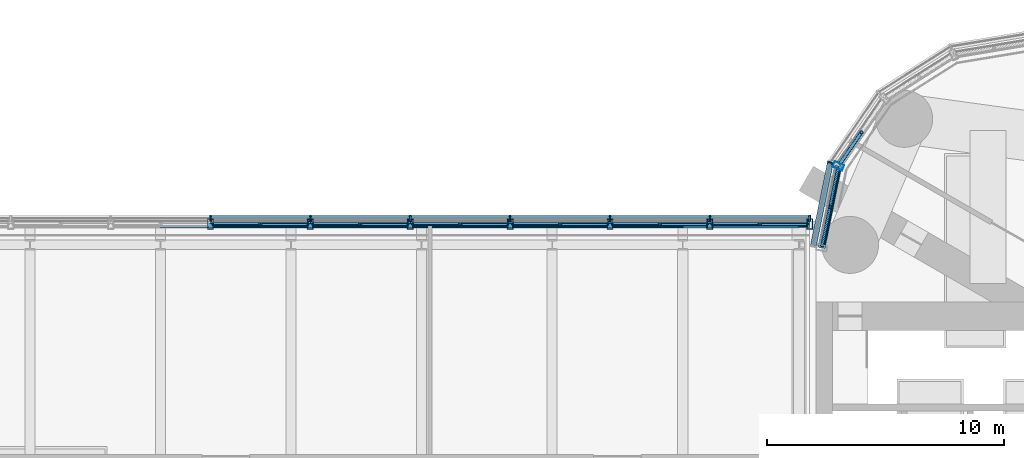
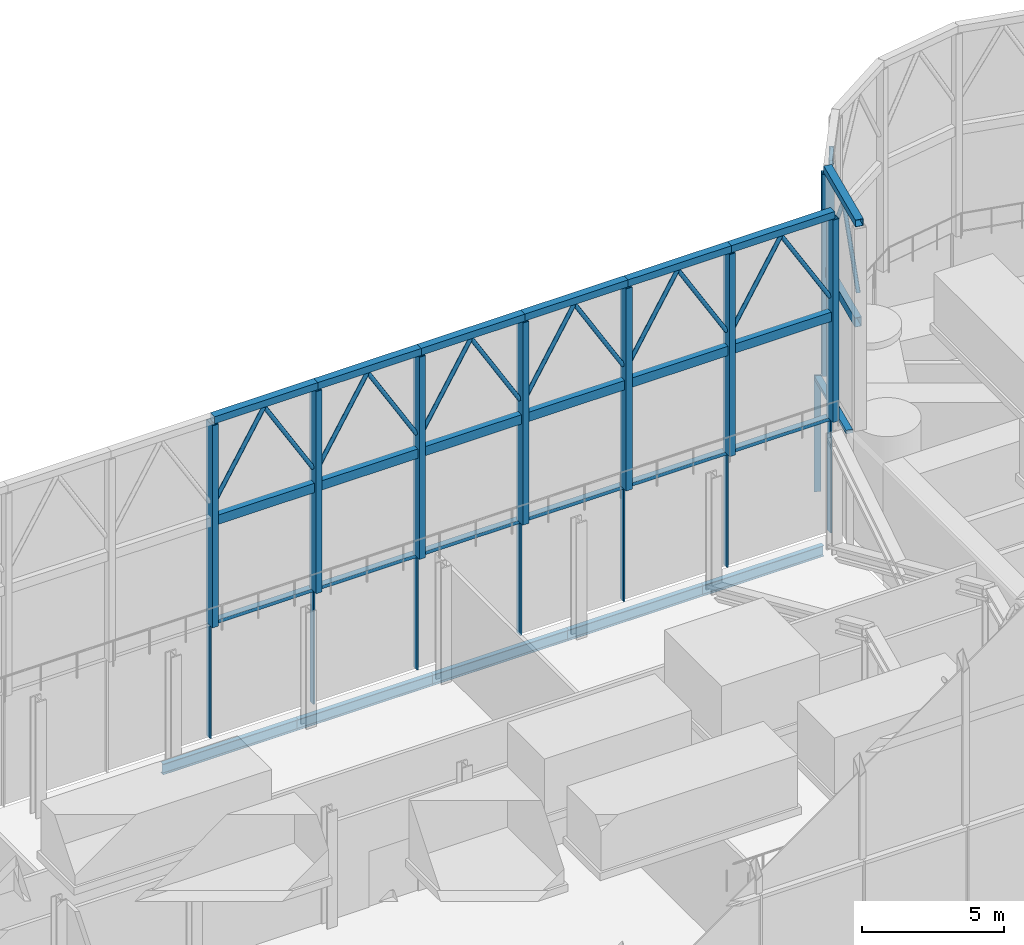
# One storey, part 19 of 33: 52 members, 5 beams, 4 elements without a shape of their own.
"""IFC4 building model written with IfcOpenShell, lengths in metres."""

from ifc_helpers import new_model, si_unit, direction, frame, origin, origin_2d, place, context, subcontext, project, spatial, rectangle, hollow_rectangle, hollow_circle, i_section, extrude, material, material_profile, profile_set, type_object, element, aggregate, save


model = new_model("IFC4")

# Units and contexts
model_context = context("Model", 3, precision=1e-05, world=origin(), true_north=direction((0.0, 1.0)))
body_context = subcontext(model_context, "Body", "Model", "MODEL_VIEW")
ifc_project = project(units=[si_unit("LENGTHUNIT", "METRE"), si_unit("AREAUNIT", "SQUARE_METRE"), si_unit("VOLUMEUNIT", "CUBIC_METRE"), si_unit("PLANEANGLEUNIT", "RADIAN"), si_unit("MASSUNIT", "GRAM", prefix="KILO")], contexts=[model_context])

# Site, building, storey
site_placement = place(None, origin())
site = spatial("IfcSite", under=ifc_project, at=site_placement, CompositionType="ELEMENT")
building_placement = place(site_placement, origin())
building = spatial("IfcBuilding", under=site, at=building_placement, Name="Lancet Gate Hotel", CompositionType="ELEMENT")
storey_placement = place(building_placement, frame((0.0, 0.0, 268.300048828125)))
storey = spatial("IfcBuildingStorey", under=building, at=storey_placement, Name="L70", CompositionType="ELEMENT", Elevation=268.300048828125)

# Curtain wall, member
ifc_material_1 = material(Name="Aluminium curtain wall", Category="aluminium")
curtain_wall_type_1 = type_object("IfcCurtainWallType", Name="Lantern crown glazing", PredefinedType="USERDEFINED", material=ifc_material_1)
curtain_wall_1_placement = place(storey_placement, origin())
curtain_wall_1 = element("IfcCurtainWall", 1, at=curtain_wall_1_placement, inside=storey, type_object=curtain_wall_type_1, Name="T2 L70 curtain wall 1", ObjectType="LANTERN GLAZING", PredefinedType="USERDEFINED")
ifc_material_2 = material(Name="Aluminium mullion", Category="aluminium")
ifc_material_profile_1 = material_profile(ifc_material_2, rectangle(XDim=0.06494140625, YDim=0.25, at=origin_2d()), Name="MULLION 65x250")
ifc_profile_set_1 = profile_set([ifc_material_profile_1], Name="Aluminium mullion")
member_type_1 = type_object("IfcMemberType", Name="Aluminium mullion 65x250", PredefinedType="MULLION", material=ifc_profile_set_1)
member_1_placement = place(storey_placement, frame((28.216552734375, 14.467529296875, 0.0), z_axis=(0.0, 0.0, 1.0), x_axis=(-0.391042139098, -0.920372775265, 0.0)))
member_1 = element("IfcMember", 2, at=member_1_placement, type_object=member_type_1, Name="T2 L70 curtain wall 1 mullion 26", PredefinedType="MULLION", context=body_context, shape_type="SweptSolid", body=[
    extrude(rectangle(XDim=0.06494140625, YDim=0.25, at=origin_2d()), origin(), (0.0, 0.0, 1.0), 5.0),
])

# Curtain wall, members
curtain_wall_2_placement = place(storey_placement, origin())
curtain_wall_2 = element("IfcCurtainWall", 3, at=curtain_wall_2_placement, inside=storey, type_object=curtain_wall_type_1, Name="Bridge block L70 curtain wall N", ObjectType="LANTERN GLAZING", PredefinedType="USERDEFINED")
member_2_placement = place(storey_placement, frame((27.35009765625, 12.1201171875, 0.0), z_axis=(0.0, 0.0, 1.0), x_axis=(-1.0, 0.0, 0.0)))
member_2 = element("IfcMember", 4, at=member_2_placement, type_object=member_type_1, Name="Bridge block L70 curtain wall N mullion 1", PredefinedType="MULLION", context=body_context, shape_type="SweptSolid", body=[
    extrude(rectangle(XDim=0.06494140625, YDim=0.25, at=origin_2d()), origin(), (0.0, 0.0, 1.0), 5.0),
])
member_3_placement = place(storey_placement, frame((23.142333984375, 12.1201171875, 0.0), z_axis=(0.0, 0.0, 1.0), x_axis=(-1.0, 0.0, 0.0)))
member_3 = element("IfcMember", 5, at=member_3_placement, type_object=member_type_1, Name="Bridge block L70 curtain wall N mullion 2", PredefinedType="MULLION", context=body_context, shape_type="SweptSolid", body=[
    extrude(rectangle(XDim=0.06494140625, YDim=0.25, at=origin_2d()), origin(), (0.0, 0.0, 1.0), 5.0),
])
member_4_placement = place(storey_placement, frame((18.9345703125, 12.1201171875, 0.0), z_axis=(0.0, 0.0, 1.0), x_axis=(-1.0, 0.0, 0.0)))
member_4 = element("IfcMember", 6, at=member_4_placement, type_object=member_type_1, Name="Bridge block L70 curtain wall N mullion 3", PredefinedType="MULLION", context=body_context, shape_type="SweptSolid", body=[
    extrude(rectangle(XDim=0.06494140625, YDim=0.25, at=origin_2d()), origin(), (0.0, 0.0, 1.0), 5.0),
])
member_5_placement = place(storey_placement, frame((14.726806640625, 12.1201171875, 0.0), z_axis=(0.0, 0.0, 1.0), x_axis=(-1.0, 0.0, 0.0)))
member_5 = element("IfcMember", 7, at=member_5_placement, type_object=member_type_1, Name="Bridge block L70 curtain wall N mullion 4", PredefinedType="MULLION", context=body_context, shape_type="SweptSolid", body=[
    extrude(rectangle(XDim=0.06494140625, YDim=0.25, at=origin_2d()), origin(), (0.0, 0.0, 1.0), 5.0),
])
member_6_placement = place(storey_placement, frame((10.519287109375, 12.1201171875, 0.0), z_axis=(0.0, 0.0, 1.0), x_axis=(-1.0, 0.0, 0.0)))
member_6 = element("IfcMember", 8, at=member_6_placement, type_object=member_type_1, Name="Bridge block L70 curtain wall N mullion 5", PredefinedType="MULLION", context=body_context, shape_type="SweptSolid", body=[
    extrude(rectangle(XDim=0.06494140625, YDim=0.25, at=origin_2d()), origin(), (0.0, 0.0, 1.0), 5.0),
])
member_7_placement = place(storey_placement, frame((6.3115234375, 12.1201171875, 0.0), z_axis=(0.0, 0.0, 1.0), x_axis=(-1.0, 0.0, 0.0)))
member_7 = element("IfcMember", 9, at=member_7_placement, type_object=member_type_1, Name="Bridge block L70 curtain wall N mullion 6", PredefinedType="MULLION", context=body_context, shape_type="SweptSolid", body=[
    extrude(rectangle(XDim=0.06494140625, YDim=0.25, at=origin_2d()), origin(), (0.0, 0.0, 1.0), 5.0),
])
member_8_placement = place(storey_placement, frame((2.103759765625, 12.1201171875, 0.0), z_axis=(0.0, 0.0, 1.0), x_axis=(-1.0, 0.0, 0.0)))
member_8 = element("IfcMember", 10, at=member_8_placement, type_object=member_type_1, Name="Bridge block L70 curtain wall N mullion 7", PredefinedType="MULLION", context=body_context, shape_type="SweptSolid", body=[
    extrude(rectangle(XDim=0.06494140625, YDim=0.25, at=origin_2d()), origin(), (0.0, 0.0, 1.0), 5.0),
])

# Member
ifc_material_3 = material(Name="Aluminium transom", Category="aluminium")
ifc_material_profile_2 = material_profile(ifc_material_3, rectangle(XDim=0.25, YDim=0.14990234375, at=origin_2d()), Name="TRANSOM 250x150")
ifc_profile_set_2 = profile_set([ifc_material_profile_2], Name="Aluminium transom")
member_type_2 = type_object("IfcMemberType", Name="Aluminium transom 250x150", PredefinedType="USERDEFINED", material=ifc_profile_set_2)
member_9_placement = place(storey_placement, frame((28.210205078125, 14.435546875, 4.925048828125), z_axis=(-0.19952323725, -0.979893095086, 0.0), x_axis=(0.979893095086, -0.19952323725, 0.0)))
member_9 = element("IfcMember", 11, at=member_9_placement, type_object=member_type_2, Name="T2 L70 curtain wall 1 transom 26", ObjectType="TRANSOM", PredefinedType="USERDEFINED", context=body_context, shape_type="SweptSolid", body=[
    extrude(rectangle(XDim=0.25, YDim=0.14990234375, at=origin_2d()), origin(), (0.0, 0.0, 1.0), 3.5263671875),
])

aggregate(curtain_wall_1, [member_1, member_9])

member_10_placement = place(storey_placement, frame((27.3173828125, 12.1201171875, 4.925048828125), z_axis=(-1.0, 0.0, 0.0), x_axis=(0.0, -1.0, 0.0)))
member_10 = element("IfcMember", 12, at=member_10_placement, type_object=member_type_2, Name="Bridge block L70 curtain wall N transom 1", ObjectType="TRANSOM", PredefinedType="USERDEFINED", context=body_context, shape_type="SweptSolid", body=[
    extrude(rectangle(XDim=0.25, YDim=0.14990234375, at=origin_2d()), origin(), (0.0, 0.0, 1.0), 4.142578125),
])

member_11_placement = place(storey_placement, frame((23.10986328125, 12.1201171875, 4.925048828125), z_axis=(-1.0, 0.0, 0.0), x_axis=(0.0, -1.0, 0.0)))
member_11 = element("IfcMember", 13, at=member_11_placement, type_object=member_type_2, Name="Bridge block L70 curtain wall N transom 2", ObjectType="TRANSOM", PredefinedType="USERDEFINED", context=body_context, shape_type="SweptSolid", body=[
    extrude(rectangle(XDim=0.25, YDim=0.14990234375, at=origin_2d()), origin(), (0.0, 0.0, 1.0), 4.142822265625),
])

member_12_placement = place(storey_placement, frame((18.902099609375, 12.1201171875, 4.925048828125), z_axis=(-1.0, 0.0, 0.0), x_axis=(0.0, -1.0, 0.0)))
member_12 = element("IfcMember", 14, at=member_12_placement, type_object=member_type_2, Name="Bridge block L70 curtain wall N transom 3", ObjectType="TRANSOM", PredefinedType="USERDEFINED", context=body_context, shape_type="SweptSolid", body=[
    extrude(rectangle(XDim=0.25, YDim=0.14990234375, at=origin_2d()), origin(), (0.0, 0.0, 1.0), 4.142578125),
])

member_13_placement = place(storey_placement, frame((14.6943359375, 12.1201171875, 4.925048828125), z_axis=(-1.0, 0.0, 0.0), x_axis=(0.0, -1.0, 0.0)))
member_13 = element("IfcMember", 15, at=member_13_placement, type_object=member_type_2, Name="Bridge block L70 curtain wall N transom 4", ObjectType="TRANSOM", PredefinedType="USERDEFINED", context=body_context, shape_type="SweptSolid", body=[
    extrude(rectangle(XDim=0.25, YDim=0.14990234375, at=origin_2d()), origin(), (0.0, 0.0, 1.0), 4.142578125),
])

member_14_placement = place(storey_placement, frame((10.48681640625, 12.1201171875, 4.925048828125), z_axis=(-1.0, 0.0, 0.0), x_axis=(0.0, -1.0, 0.0)))
member_14 = element("IfcMember", 16, at=member_14_placement, type_object=member_type_2, Name="Bridge block L70 curtain wall N transom 5", ObjectType="TRANSOM", PredefinedType="USERDEFINED", context=body_context, shape_type="SweptSolid", body=[
    extrude(rectangle(XDim=0.25, YDim=0.14990234375, at=origin_2d()), origin(), (0.0, 0.0, 1.0), 4.142822265625),
])

member_15_placement = place(storey_placement, frame((6.279052734375, 12.1201171875, 4.925048828125), z_axis=(-1.0, 0.0, 0.0), x_axis=(0.0, -1.0, 0.0)))
member_15 = element("IfcMember", 17, at=member_15_placement, type_object=member_type_2, Name="Bridge block L70 curtain wall N transom 6", ObjectType="TRANSOM", PredefinedType="USERDEFINED", context=body_context, shape_type="SweptSolid", body=[
    extrude(rectangle(XDim=0.25, YDim=0.14990234375, at=origin_2d()), origin(), (0.0, 0.0, 1.0), 4.142822265625),
])

aggregate(curtain_wall_2, [member_2, member_3, member_4, member_5, member_6, member_7, member_8, member_10, member_11, member_12, member_13, member_14, member_15])

# Beams
ifc_material_4 = material(Name="Steel S355", Category="steel")
ifc_material_profile_3 = material_profile(ifc_material_4, i_section(OverallWidth=0.19140625, OverallDepth=0.4599609375, WebThickness=0.010009765625, FlangeThickness=0.01611328125, FilletRadius=0.01025390625, at=origin_2d()), Name="UKB 457x191x82")
ifc_profile_set_3 = profile_set([ifc_material_profile_3], Name="Steel S355")
beam_type = type_object("IfcBeamType", Name="Block edge beam UKB 457x191x82", PredefinedType="SPANDREL", material=ifc_profile_set_3)
for number, where, z_axis, x_axis, name in (
    (18, (0.0, 11.800048828125, -0.429931640625), (1.0, 0.0, 0.0), (0.0, 1.0, 0.0), "Block edge beam N 5-6 L70"),
    (19, (5.5, 11.800048828125, -0.429931640625), (1.0, 0.0, 0.0), (0.0, 1.0, 0.0), "Block edge beam N 6-7 L70"),
    (20, (11.0, 11.800048828125, -0.429931640625), (1.0, 0.0, 0.0), (0.0, 1.0, 0.0), "Block edge beam N 7-8 L70"),
    (21, (16.5, 11.800048828125, -0.429931640625), (1.0, 0.0, 0.0), (0.0, 1.0, 0.0), "Block edge beam N 8-9 L70"),
):
    element("IfcBeam", number, at=place(storey_placement, frame(where, z_axis=z_axis, x_axis=x_axis)), inside=storey, type_object=beam_type, Name=name, PredefinedType="SPANDREL", context=body_context, shape_type="SweptSolid", body=[
        extrude(i_section(OverallWidth=0.19140625, OverallDepth=0.4599609375, WebThickness=0.010009765625, FlangeThickness=0.01611328125, FilletRadius=0.01025390625, at=origin_2d()), origin(), (0.0, 0.0, 1.0), 5.5),
    ])
beam_placement = place(storey_placement, frame((22.0, 11.800048828125, -0.429931640625), z_axis=(1.0, 0.0, 0.0), x_axis=(0.0, 1.0, 0.0)))
element("IfcBeam", 22, at=beam_placement, inside=storey, type_object=beam_type, Name="Block edge beam N 9-10 L70", PredefinedType="SPANDREL", context=body_context, shape_type="SweptSolid", body=[
    extrude(i_section(OverallWidth=0.19140625, OverallDepth=0.4599609375, WebThickness=0.010009765625, FlangeThickness=0.01611328125, FilletRadius=0.01025390625, at=origin_2d()), origin(), (0.0, 0.0, 1.0), 4.89990234375),
])

# Curtain wall, member
ifc_material_5 = material(Name="Steel framed lantern screen", Category="steel")
curtain_wall_type_2 = type_object("IfcCurtainWallType", Name="Lantern screen", PredefinedType="USERDEFINED", material=ifc_material_5)
curtain_wall_3_placement = place(storey_placement, origin())
curtain_wall_3 = element("IfcCurtainWall", 23, at=curtain_wall_3_placement, inside=storey, type_object=curtain_wall_type_2, Name="T2 lantern screen 1", ObjectType="LANTERN SCREEN", PredefinedType="USERDEFINED")
ifc_material_6 = material(Name="Steel S355", Category="steel")
ifc_material_profile_4 = material_profile(ifc_material_6, hollow_rectangle(XDim=0.300048828125, YDim=0.300048828125, WallThickness=0.012451171875, at=origin_2d()), Name="RHS 300x300x12.5")
ifc_profile_set_4 = profile_set([ifc_material_profile_4], Name="Steel S355")
member_type_3 = type_object("IfcMemberType", Name="Lantern cap beam RHS 300x300x12.5", PredefinedType="USERDEFINED", material=ifc_profile_set_4)
member_16_placement = place(storey_placement, frame((28.5546875, 14.32373046875, 13.849853515625), z_axis=(-0.199504538903, -0.979896902208, 0.0), x_axis=(0.979896902208, -0.199504538903, 0.0)))
member_16 = element("IfcMember", 24, at=member_16_placement, type_object=member_type_3, Name="T2 lantern screen 1 cap 26", ObjectType="LANTERN FRAME", PredefinedType="USERDEFINED", context=body_context, shape_type="SweptSolid", body=[
    extrude(hollow_rectangle(XDim=0.300048828125, YDim=0.300048828125, WallThickness=0.012451171875, at=origin_2d()), origin(), (0.0, 0.0, 1.0), 3.518310546875),
])

# Curtain wall, members
curtain_wall_4_placement = place(storey_placement, origin())
curtain_wall_4 = element("IfcCurtainWall", 25, at=curtain_wall_4_placement, inside=storey, type_object=curtain_wall_type_2, Name="Bridge block lantern screen N", ObjectType="LANTERN SCREEN", PredefinedType="USERDEFINED")
member_17_placement = place(storey_placement, frame((27.35009765625, 11.8798828125, 13.849853515625), z_axis=(-1.0, 0.0, 0.0), x_axis=(0.0, -1.0, 0.0)))
member_17 = element("IfcMember", 26, at=member_17_placement, type_object=member_type_3, Name="Bridge block lantern screen N cap 1", ObjectType="LANTERN FRAME", PredefinedType="USERDEFINED", context=body_context, shape_type="SweptSolid", body=[
    extrude(hollow_rectangle(XDim=0.300048828125, YDim=0.300048828125, WallThickness=0.012451171875, at=origin_2d()), origin(), (0.0, 0.0, 1.0), 4.207763671875),
])
member_18_placement = place(storey_placement, frame((23.142333984375, 11.8798828125, 13.849853515625), z_axis=(-1.0, 0.0, 0.0), x_axis=(0.0, -1.0, 0.0)))
member_18 = element("IfcMember", 27, at=member_18_placement, type_object=member_type_3, Name="Bridge block lantern screen N cap 2", ObjectType="LANTERN FRAME", PredefinedType="USERDEFINED", context=body_context, shape_type="SweptSolid", body=[
    extrude(hollow_rectangle(XDim=0.300048828125, YDim=0.300048828125, WallThickness=0.012451171875, at=origin_2d()), origin(), (0.0, 0.0, 1.0), 4.207763671875),
])
member_19_placement = place(storey_placement, frame((18.9345703125, 11.8798828125, 13.849853515625), z_axis=(-1.0, 0.0, 0.0), x_axis=(0.0, -1.0, 0.0)))
member_19 = element("IfcMember", 28, at=member_19_placement, type_object=member_type_3, Name="Bridge block lantern screen N cap 3", ObjectType="LANTERN FRAME", PredefinedType="USERDEFINED", context=body_context, shape_type="SweptSolid", body=[
    extrude(hollow_rectangle(XDim=0.300048828125, YDim=0.300048828125, WallThickness=0.012451171875, at=origin_2d()), origin(), (0.0, 0.0, 1.0), 4.207763671875),
])
member_20_placement = place(storey_placement, frame((14.726806640625, 11.8798828125, 13.849853515625), z_axis=(-1.0, 0.0, 0.0), x_axis=(0.0, -1.0, 0.0)))
member_20 = element("IfcMember", 29, at=member_20_placement, type_object=member_type_3, Name="Bridge block lantern screen N cap 4", ObjectType="LANTERN FRAME", PredefinedType="USERDEFINED", context=body_context, shape_type="SweptSolid", body=[
    extrude(hollow_rectangle(XDim=0.300048828125, YDim=0.300048828125, WallThickness=0.012451171875, at=origin_2d()), origin(), (0.0, 0.0, 1.0), 4.20751953125),
])
member_21_placement = place(storey_placement, frame((10.519287109375, 11.8798828125, 13.849853515625), z_axis=(-1.0, 0.0, 0.0), x_axis=(0.0, -1.0, 0.0)))
member_21 = element("IfcMember", 30, at=member_21_placement, type_object=member_type_3, Name="Bridge block lantern screen N cap 5", ObjectType="LANTERN FRAME", PredefinedType="USERDEFINED", context=body_context, shape_type="SweptSolid", body=[
    extrude(hollow_rectangle(XDim=0.300048828125, YDim=0.300048828125, WallThickness=0.012451171875, at=origin_2d()), origin(), (0.0, 0.0, 1.0), 4.207763671875),
])
member_22_placement = place(storey_placement, frame((6.3115234375, 11.8798828125, 13.849853515625), z_axis=(-1.0, 0.0, 0.0), x_axis=(0.0, -1.0, 0.0)))
member_22 = element("IfcMember", 31, at=member_22_placement, type_object=member_type_3, Name="Bridge block lantern screen N cap 6", ObjectType="LANTERN FRAME", PredefinedType="USERDEFINED", context=body_context, shape_type="SweptSolid", body=[
    extrude(hollow_rectangle(XDim=0.300048828125, YDim=0.300048828125, WallThickness=0.012451171875, at=origin_2d()), origin(), (0.0, 0.0, 1.0), 4.207763671875),
])

# Member
ifc_material_7 = material(Name="Steel S355", Category="steel")
ifc_material_profile_5 = material_profile(ifc_material_7, hollow_rectangle(XDim=0.25, YDim=0.449951171875, WallThickness=0.01611328125, at=origin_2d()), Name="RHS 450x250x16")
ifc_profile_set_5 = profile_set([ifc_material_profile_5], Name="Steel S355")
member_type_4 = type_object("IfcMemberType", Name="Lantern frame post RHS 450x250x16", PredefinedType="USERDEFINED", material=ifc_profile_set_5)
member_23_placement = place(storey_placement, frame((28.5546875, 14.32373046875, 5.0), z_axis=(0.0, 0.0, 1.0), x_axis=(-0.391042139098, -0.920372775265, 0.0)))
member_23 = element("IfcMember", 32, at=member_23_placement, type_object=member_type_4, Name="T2 lantern screen 1 frame post 26", ObjectType="LANTERN FRAME", PredefinedType="USERDEFINED", context=body_context, shape_type="SweptSolid", body=[
    extrude(hollow_rectangle(XDim=0.25, YDim=0.449951171875, WallThickness=0.01611328125, at=origin_2d()), origin(), (0.0, 0.0, 1.0), 8.699951171875),
])

member_24_placement = place(storey_placement, frame((27.35009765625, 11.8798828125, 5.0), z_axis=(0.0, 0.0, 1.0), x_axis=(-1.0, 0.0, 0.0)))
member_24 = element("IfcMember", 33, at=member_24_placement, type_object=member_type_4, Name="Bridge block lantern screen N frame post 1", ObjectType="LANTERN FRAME", PredefinedType="USERDEFINED", context=body_context, shape_type="SweptSolid", body=[
    extrude(hollow_rectangle(XDim=0.25, YDim=0.449951171875, WallThickness=0.01611328125, at=origin_2d()), origin(), (0.0, 0.0, 1.0), 8.699951171875),
])

member_25_placement = place(storey_placement, frame((23.142333984375, 11.8798828125, 5.0), z_axis=(0.0, 0.0, 1.0), x_axis=(-1.0, 0.0, 0.0)))
member_25 = element("IfcMember", 34, at=member_25_placement, type_object=member_type_4, Name="Bridge block lantern screen N frame post 2", ObjectType="LANTERN FRAME", PredefinedType="USERDEFINED", context=body_context, shape_type="SweptSolid", body=[
    extrude(hollow_rectangle(XDim=0.25, YDim=0.449951171875, WallThickness=0.01611328125, at=origin_2d()), origin(), (0.0, 0.0, 1.0), 8.699951171875),
])

member_26_placement = place(storey_placement, frame((18.9345703125, 11.8798828125, 5.0), z_axis=(0.0, 0.0, 1.0), x_axis=(-1.0, 0.0, 0.0)))
member_26 = element("IfcMember", 35, at=member_26_placement, type_object=member_type_4, Name="Bridge block lantern screen N frame post 3", ObjectType="LANTERN FRAME", PredefinedType="USERDEFINED", context=body_context, shape_type="SweptSolid", body=[
    extrude(hollow_rectangle(XDim=0.25, YDim=0.449951171875, WallThickness=0.01611328125, at=origin_2d()), origin(), (0.0, 0.0, 1.0), 8.699951171875),
])

member_27_placement = place(storey_placement, frame((14.726806640625, 11.8798828125, 5.0), z_axis=(0.0, 0.0, 1.0), x_axis=(-1.0, 0.0, 0.0)))
member_27 = element("IfcMember", 36, at=member_27_placement, type_object=member_type_4, Name="Bridge block lantern screen N frame post 4", ObjectType="LANTERN FRAME", PredefinedType="USERDEFINED", context=body_context, shape_type="SweptSolid", body=[
    extrude(hollow_rectangle(XDim=0.25, YDim=0.449951171875, WallThickness=0.01611328125, at=origin_2d()), origin(), (0.0, 0.0, 1.0), 8.699951171875),
])

member_28_placement = place(storey_placement, frame((10.519287109375, 11.8798828125, 5.0), z_axis=(0.0, 0.0, 1.0), x_axis=(-1.0, 0.0, 0.0)))
member_28 = element("IfcMember", 37, at=member_28_placement, type_object=member_type_4, Name="Bridge block lantern screen N frame post 5", ObjectType="LANTERN FRAME", PredefinedType="USERDEFINED", context=body_context, shape_type="SweptSolid", body=[
    extrude(hollow_rectangle(XDim=0.25, YDim=0.449951171875, WallThickness=0.01611328125, at=origin_2d()), origin(), (0.0, 0.0, 1.0), 8.699951171875),
])

member_29_placement = place(storey_placement, frame((6.3115234375, 11.8798828125, 5.0), z_axis=(0.0, 0.0, 1.0), x_axis=(-1.0, 0.0, 0.0)))
member_29 = element("IfcMember", 38, at=member_29_placement, type_object=member_type_4, Name="Bridge block lantern screen N frame post 6", ObjectType="LANTERN FRAME", PredefinedType="USERDEFINED", context=body_context, shape_type="SweptSolid", body=[
    extrude(hollow_rectangle(XDim=0.25, YDim=0.449951171875, WallThickness=0.01611328125, at=origin_2d()), origin(), (0.0, 0.0, 1.0), 8.699951171875),
])

member_30_placement = place(storey_placement, frame((2.103759765625, 11.8798828125, 5.0), z_axis=(0.0, 0.0, 1.0), x_axis=(-1.0, 0.0, 0.0)))
member_30 = element("IfcMember", 39, at=member_30_placement, type_object=member_type_4, Name="Bridge block lantern screen N frame post 7", ObjectType="LANTERN FRAME", PredefinedType="USERDEFINED", context=body_context, shape_type="SweptSolid", body=[
    extrude(hollow_rectangle(XDim=0.25, YDim=0.449951171875, WallThickness=0.01611328125, at=origin_2d()), origin(), (0.0, 0.0, 1.0), 8.699951171875),
])

ifc_material_8 = material(Name="Steel S355", Category="steel")
ifc_material_profile_6 = material_profile(ifc_material_8, hollow_circle(Radius=0.084228515625, WallThickness=0.008056640625, at=origin_2d()), Name="CHS 168.3x8.0")
ifc_profile_set_6 = profile_set([ifc_material_profile_6], Name="Steel S355")
member_type_5 = type_object("IfcMemberType", Name="Lantern lancet head CHS 168.3x8", PredefinedType="USERDEFINED", material=ifc_profile_set_6)
member_31_placement = place(storey_placement, frame((28.625732421875, 14.4267578125, 10.824462890625), z_axis=(0.281556612935, 0.409240145681, 0.86789882871), x_axis=(-0.823850143207, 0.56680767597, 0.0)))
member_31 = element("IfcMember", 40, at=member_31_placement, type_object=member_type_5, Name="T2 lantern screen 1 lancet head 25B", ObjectType="LANTERN FRAME", PredefinedType="USERDEFINED", context=body_context, shape_type="SweptSolid", body=[
    extrude(hollow_circle(Radius=0.084228515625, WallThickness=0.008056640625, at=origin_2d()), origin(), (0.0, 0.0, 1.0), 3.216064453125),
])

member_32_placement = place(storey_placement, frame((28.52978515625, 14.201416015625, 10.758544921875), z_axis=(-0.099021300575, -0.486502404848, 0.868049648413), x_axis=(0.979908462414, -0.199447750773, 0.0)))
member_32 = element("IfcMember", 41, at=member_32_placement, type_object=member_type_5, Name="T2 lantern screen 1 lancet head 26A", ObjectType="LANTERN FRAME", PredefinedType="USERDEFINED", context=body_context, shape_type="SweptSolid", body=[
    extrude(hollow_circle(Radius=0.084228515625, WallThickness=0.008056640625, at=origin_2d()), origin(), (0.0, 0.0, 1.0), 3.29150390625),
])

member_33_placement = place(storey_placement, frame((27.877685546875, 10.998779296875, 10.758544921875), z_axis=(0.09909474574, 0.486498830319, 0.868043270503), x_axis=(-0.979879254151, 0.199591200419, 0.0)))
member_33 = element("IfcMember", 42, at=member_33_placement, type_object=member_type_5, Name="T2 lantern screen 1 lancet head 26B", ObjectType="LANTERN FRAME", PredefinedType="USERDEFINED", context=body_context, shape_type="SweptSolid", body=[
    extrude(hollow_circle(Radius=0.084228515625, WallThickness=0.008056640625, at=origin_2d()), origin(), (0.0, 0.0, 1.0), 3.29150390625),
])

member_34_placement = place(storey_placement, frame((27.22509765625, 11.8798828125, 10.300048828125), z_axis=(-0.512513906449, 0.0, 0.858678924684), x_axis=(0.0, -1.0, 0.0)))
member_34 = element("IfcMember", 43, at=member_34_placement, type_object=member_type_5, Name="Bridge block lantern screen N lancet head 1A", ObjectType="LANTERN FRAME", PredefinedType="USERDEFINED", context=body_context, shape_type="SweptSolid", body=[
    extrude(hollow_circle(Radius=0.084228515625, WallThickness=0.008056640625, at=origin_2d()), origin(), (0.0, 0.0, 1.0), 3.861328125),
])

member_35_placement = place(storey_placement, frame((23.267333984375, 11.8798828125, 10.300048828125), z_axis=(0.512467285429, 0.0, 0.858706749342), x_axis=(0.0, 1.0, 0.0)))
member_35 = element("IfcMember", 44, at=member_35_placement, type_object=member_type_5, Name="Bridge block lantern screen N lancet head 1B", ObjectType="LANTERN FRAME", PredefinedType="USERDEFINED", context=body_context, shape_type="SweptSolid", body=[
    extrude(hollow_circle(Radius=0.084228515625, WallThickness=0.008056640625, at=origin_2d()), origin(), (0.0, 0.0, 1.0), 3.861328125),
])

member_36_placement = place(storey_placement, frame((23.017333984375, 11.8798828125, 10.300048828125), z_axis=(-0.512467285429, 0.0, 0.858706749342), x_axis=(0.0, -1.0, 0.0)))
member_36 = element("IfcMember", 45, at=member_36_placement, type_object=member_type_5, Name="Bridge block lantern screen N lancet head 2A", ObjectType="LANTERN FRAME", PredefinedType="USERDEFINED", context=body_context, shape_type="SweptSolid", body=[
    extrude(hollow_circle(Radius=0.084228515625, WallThickness=0.008056640625, at=origin_2d()), origin(), (0.0, 0.0, 1.0), 3.861328125),
])

member_37_placement = place(storey_placement, frame((19.0595703125, 11.8798828125, 10.300048828125), z_axis=(0.512513906449, 0.0, 0.858678924684), x_axis=(0.0, 1.0, 0.0)))
member_37 = element("IfcMember", 46, at=member_37_placement, type_object=member_type_5, Name="Bridge block lantern screen N lancet head 2B", ObjectType="LANTERN FRAME", PredefinedType="USERDEFINED", context=body_context, shape_type="SweptSolid", body=[
    extrude(hollow_circle(Radius=0.084228515625, WallThickness=0.008056640625, at=origin_2d()), origin(), (0.0, 0.0, 1.0), 3.861328125),
])

member_38_placement = place(storey_placement, frame((18.8095703125, 11.8798828125, 10.300048828125), z_axis=(-0.512467285429, 0.0, 0.858706749342), x_axis=(0.0, -1.0, 0.0)))
member_38 = element("IfcMember", 47, at=member_38_placement, type_object=member_type_5, Name="Bridge block lantern screen N lancet head 3A", ObjectType="LANTERN FRAME", PredefinedType="USERDEFINED", context=body_context, shape_type="SweptSolid", body=[
    extrude(hollow_circle(Radius=0.084228515625, WallThickness=0.008056640625, at=origin_2d()), origin(), (0.0, 0.0, 1.0), 3.861328125),
])

member_39_placement = place(storey_placement, frame((14.851806640625, 11.8798828125, 10.300048828125), z_axis=(0.512513906449, 0.0, 0.858678924684), x_axis=(0.0, 1.0, 0.0)))
member_39 = element("IfcMember", 48, at=member_39_placement, type_object=member_type_5, Name="Bridge block lantern screen N lancet head 3B", ObjectType="LANTERN FRAME", PredefinedType="USERDEFINED", context=body_context, shape_type="SweptSolid", body=[
    extrude(hollow_circle(Radius=0.084228515625, WallThickness=0.008056640625, at=origin_2d()), origin(), (0.0, 0.0, 1.0), 3.861328125),
])

member_40_placement = place(storey_placement, frame((14.601806640625, 11.8798828125, 10.300048828125), z_axis=(-0.512467285429, 0.0, 0.858706749342), x_axis=(0.0, -1.0, 0.0)))
member_40 = element("IfcMember", 49, at=member_40_placement, type_object=member_type_5, Name="Bridge block lantern screen N lancet head 4A", ObjectType="LANTERN FRAME", PredefinedType="USERDEFINED", context=body_context, shape_type="SweptSolid", body=[
    extrude(hollow_circle(Radius=0.084228515625, WallThickness=0.008056640625, at=origin_2d()), origin(), (0.0, 0.0, 1.0), 3.861328125),
])

member_41_placement = place(storey_placement, frame((10.644287109375, 11.8798828125, 10.300048828125), z_axis=(0.512467285429, 0.0, 0.858706749342), x_axis=(0.0, 1.0, 0.0)))
member_41 = element("IfcMember", 50, at=member_41_placement, type_object=member_type_5, Name="Bridge block lantern screen N lancet head 4B", ObjectType="LANTERN FRAME", PredefinedType="USERDEFINED", context=body_context, shape_type="SweptSolid", body=[
    extrude(hollow_circle(Radius=0.084228515625, WallThickness=0.008056640625, at=origin_2d()), origin(), (0.0, 0.0, 1.0), 3.861328125),
])

member_42_placement = place(storey_placement, frame((10.394287109375, 11.8798828125, 10.300048828125), z_axis=(-0.512513906449, 0.0, 0.858678924684), x_axis=(0.0, -1.0, 0.0)))
member_42 = element("IfcMember", 51, at=member_42_placement, type_object=member_type_5, Name="Bridge block lantern screen N lancet head 5A", ObjectType="LANTERN FRAME", PredefinedType="USERDEFINED", context=body_context, shape_type="SweptSolid", body=[
    extrude(hollow_circle(Radius=0.084228515625, WallThickness=0.008056640625, at=origin_2d()), origin(), (0.0, 0.0, 1.0), 3.861328125),
])

member_43_placement = place(storey_placement, frame((6.4365234375, 11.8798828125, 10.300048828125), z_axis=(0.512467285429, 0.0, 0.858706749342), x_axis=(0.0, 1.0, 0.0)))
member_43 = element("IfcMember", 52, at=member_43_placement, type_object=member_type_5, Name="Bridge block lantern screen N lancet head 5B", ObjectType="LANTERN FRAME", PredefinedType="USERDEFINED", context=body_context, shape_type="SweptSolid", body=[
    extrude(hollow_circle(Radius=0.084228515625, WallThickness=0.008056640625, at=origin_2d()), origin(), (0.0, 0.0, 1.0), 3.861328125),
])

member_44_placement = place(storey_placement, frame((6.1865234375, 11.8798828125, 10.300048828125), z_axis=(-0.512467285429, 0.0, 0.858706749342), x_axis=(0.0, -1.0, 0.0)))
member_44 = element("IfcMember", 53, at=member_44_placement, type_object=member_type_5, Name="Bridge block lantern screen N lancet head 6A", ObjectType="LANTERN FRAME", PredefinedType="USERDEFINED", context=body_context, shape_type="SweptSolid", body=[
    extrude(hollow_circle(Radius=0.084228515625, WallThickness=0.008056640625, at=origin_2d()), origin(), (0.0, 0.0, 1.0), 3.861328125),
])

member_45_placement = place(storey_placement, frame((2.228759765625, 11.8798828125, 10.300048828125), z_axis=(0.512513906449, 0.0, 0.858678924684), x_axis=(0.0, 1.0, 0.0)))
member_45 = element("IfcMember", 54, at=member_45_placement, type_object=member_type_5, Name="Bridge block lantern screen N lancet head 6B", ObjectType="LANTERN FRAME", PredefinedType="USERDEFINED", context=body_context, shape_type="SweptSolid", body=[
    extrude(hollow_circle(Radius=0.084228515625, WallThickness=0.008056640625, at=origin_2d()), origin(), (0.0, 0.0, 1.0), 3.861328125),
])

ifc_material_9 = material(Name="Steel S355", Category="steel")
ifc_material_profile_7 = material_profile(ifc_material_9, hollow_rectangle(XDim=0.25, YDim=0.39990234375, WallThickness=0.012451171875, at=origin_2d()), Name="RHS 400x250x12.5")
ifc_profile_set_7 = profile_set([ifc_material_profile_7], Name="Steel S355")
member_type_6 = type_object("IfcMemberType", Name="Lantern ring beam RHS 400x250x12.5", PredefinedType="USERDEFINED", material=ifc_profile_set_7)
member_46_placement = place(storey_placement, frame((28.52978515625, 14.201416015625, 9.5), z_axis=(-0.1995194772, -0.97989386069, 0.0), x_axis=(0.97989386069, -0.1995194772, 0.0)))
member_46 = element("IfcMember", 55, at=member_46_placement, type_object=member_type_6, Name="T2 lantern screen 1 ring 26", ObjectType="LANTERN FRAME", PredefinedType="USERDEFINED", context=body_context, shape_type="SweptSolid", body=[
    extrude(hollow_rectangle(XDim=0.25, YDim=0.39990234375, WallThickness=0.012451171875, at=origin_2d()), origin(), (0.0, 0.0, 1.0), 3.268310546875),
])

aggregate(curtain_wall_3, [member_23, member_31, member_16, member_46, member_32, member_33])

member_47_placement = place(storey_placement, frame((27.22509765625, 11.8798828125, 9.5), z_axis=(-1.0, 0.0, 0.0), x_axis=(0.0, -1.0, 0.0)))
member_47 = element("IfcMember", 56, at=member_47_placement, type_object=member_type_6, Name="Bridge block lantern screen N ring 1", ObjectType="LANTERN FRAME", PredefinedType="USERDEFINED", context=body_context, shape_type="SweptSolid", body=[
    extrude(hollow_rectangle(XDim=0.25, YDim=0.39990234375, WallThickness=0.012451171875, at=origin_2d()), origin(), (0.0, 0.0, 1.0), 3.957763671875),
])

member_48_placement = place(storey_placement, frame((23.017333984375, 11.8798828125, 9.5), z_axis=(-1.0, 0.0, 0.0), x_axis=(0.0, -1.0, 0.0)))
member_48 = element("IfcMember", 57, at=member_48_placement, type_object=member_type_6, Name="Bridge block lantern screen N ring 2", ObjectType="LANTERN FRAME", PredefinedType="USERDEFINED", context=body_context, shape_type="SweptSolid", body=[
    extrude(hollow_rectangle(XDim=0.25, YDim=0.39990234375, WallThickness=0.012451171875, at=origin_2d()), origin(), (0.0, 0.0, 1.0), 3.957763671875),
])

member_49_placement = place(storey_placement, frame((18.8095703125, 11.8798828125, 9.5), z_axis=(-1.0, 0.0, 0.0), x_axis=(0.0, -1.0, 0.0)))
member_49 = element("IfcMember", 58, at=member_49_placement, type_object=member_type_6, Name="Bridge block lantern screen N ring 3", ObjectType="LANTERN FRAME", PredefinedType="USERDEFINED", context=body_context, shape_type="SweptSolid", body=[
    extrude(hollow_rectangle(XDim=0.25, YDim=0.39990234375, WallThickness=0.012451171875, at=origin_2d()), origin(), (0.0, 0.0, 1.0), 3.957763671875),
])

member_50_placement = place(storey_placement, frame((14.601806640625, 11.8798828125, 9.5), z_axis=(-1.0, 0.0, 0.0), x_axis=(0.0, -1.0, 0.0)))
member_50 = element("IfcMember", 59, at=member_50_placement, type_object=member_type_6, Name="Bridge block lantern screen N ring 4", ObjectType="LANTERN FRAME", PredefinedType="USERDEFINED", context=body_context, shape_type="SweptSolid", body=[
    extrude(hollow_rectangle(XDim=0.25, YDim=0.39990234375, WallThickness=0.012451171875, at=origin_2d()), origin(), (0.0, 0.0, 1.0), 3.95751953125),
])

member_51_placement = place(storey_placement, frame((10.394287109375, 11.8798828125, 9.5), z_axis=(-1.0, 0.0, 0.0), x_axis=(0.0, -1.0, 0.0)))
member_51 = element("IfcMember", 60, at=member_51_placement, type_object=member_type_6, Name="Bridge block lantern screen N ring 5", ObjectType="LANTERN FRAME", PredefinedType="USERDEFINED", context=body_context, shape_type="SweptSolid", body=[
    extrude(hollow_rectangle(XDim=0.25, YDim=0.39990234375, WallThickness=0.012451171875, at=origin_2d()), origin(), (0.0, 0.0, 1.0), 3.957763671875),
])

member_52_placement = place(storey_placement, frame((6.1865234375, 11.8798828125, 9.5), z_axis=(-1.0, 0.0, 0.0), x_axis=(0.0, -1.0, 0.0)))
member_52 = element("IfcMember", 61, at=member_52_placement, type_object=member_type_6, Name="Bridge block lantern screen N ring 6", ObjectType="LANTERN FRAME", PredefinedType="USERDEFINED", context=body_context, shape_type="SweptSolid", body=[
    extrude(hollow_rectangle(XDim=0.25, YDim=0.39990234375, WallThickness=0.012451171875, at=origin_2d()), origin(), (0.0, 0.0, 1.0), 3.957763671875),
])

aggregate(curtain_wall_4, [member_24, member_25, member_26, member_27, member_28, member_29, member_30, member_17, member_47, member_34, member_35, member_18, member_48, member_36, member_37, member_19, member_49, member_38, member_39, member_20, member_50, member_40, member_41, member_21, member_51, member_42, member_43, member_22, member_52, member_44, member_45])

save(model, "model.ifc")
